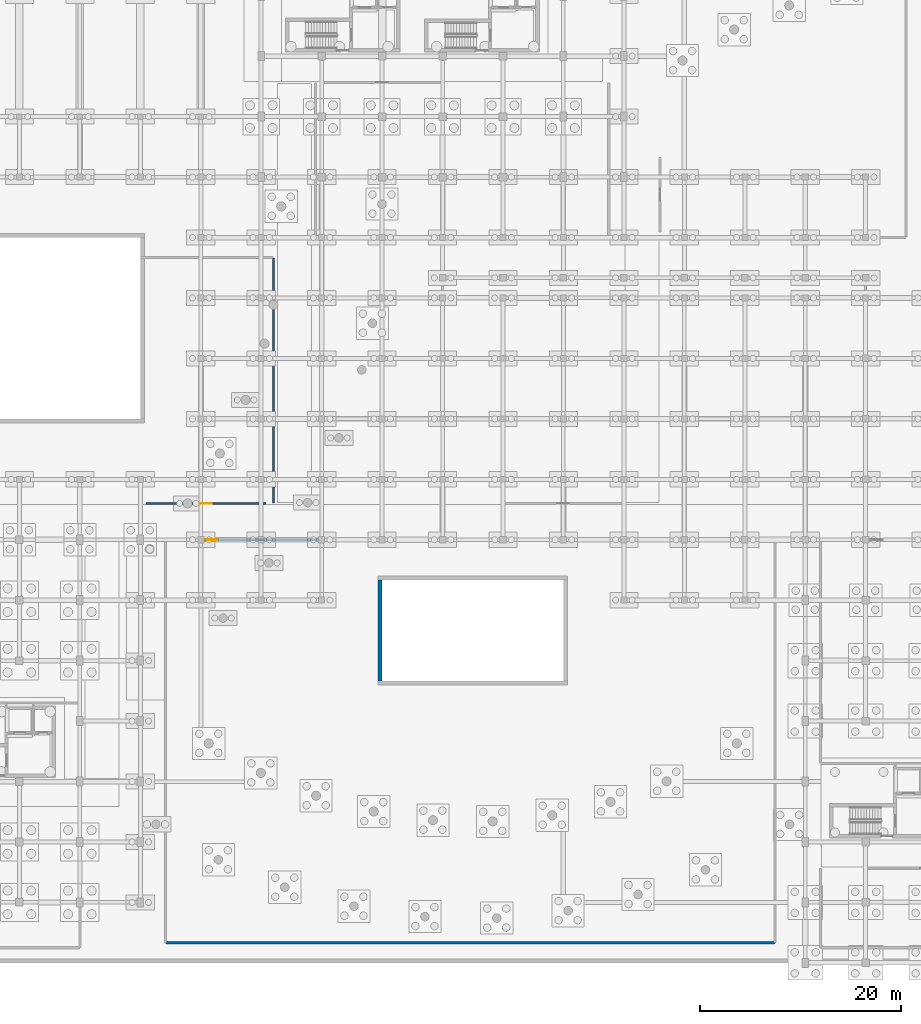
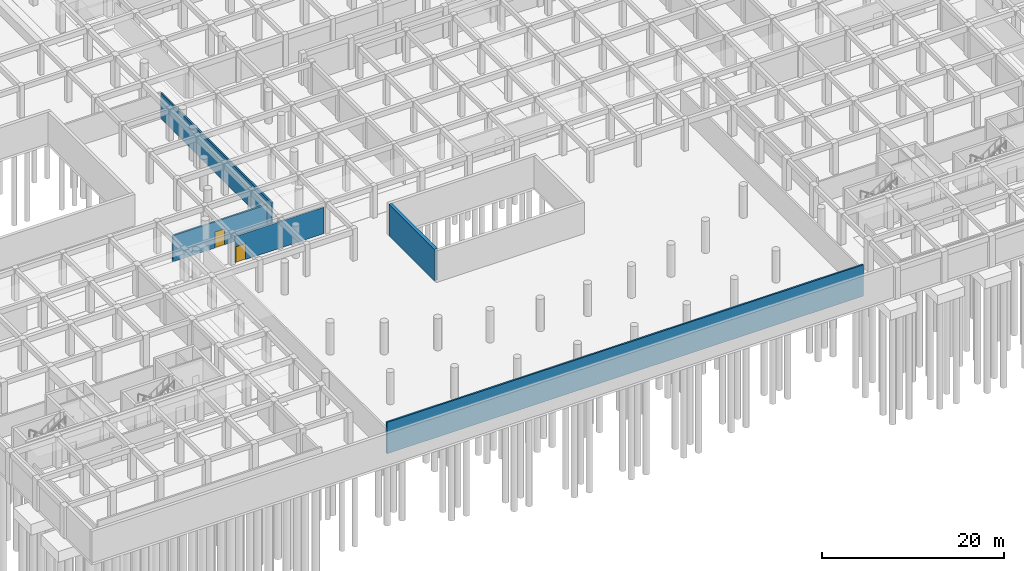
# One storey, part 25 of 41: 5 walls, 2 doors, 2 openings.
"""IFC4 building model written with IfcOpenShell, lengths in metres."""

from ifc_helpers import new_model, si_unit, direction, frame, frame_2d, origin, place, context, subcontext, project, spatial, rectangle, extrude, material, layer, layer_set, type_object, element, fill, save


model = new_model("IFC4")

# Units and contexts
model_context = context("Model", 3, precision=1e-05, world=origin(), true_north=direction((0.0, 1.0)))
body_context = subcontext(model_context, "Body", "Model", "MODEL_VIEW")
ifc_project = project(units=[si_unit("LENGTHUNIT", "METRE"), si_unit("AREAUNIT", "SQUARE_METRE"), si_unit("VOLUMEUNIT", "CUBIC_METRE"), si_unit("PLANEANGLEUNIT", "RADIAN"), si_unit("MASSUNIT", "GRAM", prefix="KILO"), si_unit("POWERUNIT", "WATT"), si_unit("THERMODYNAMICTEMPERATUREUNIT", "KELVIN")], contexts=[model_context])

# Site, building, storey
site_placement = place(None, origin())
site = spatial("IfcSite", under=ifc_project, at=site_placement, CompositionType="ELEMENT")
building_placement = place(site_placement, origin())
building = spatial("IfcBuilding", under=site, at=building_placement, Name="Ruvembo Vaulted Housing Court", CompositionType="ELEMENT")
storey_placement = place(building_placement, frame((0.0, 0.0, -4.5)))
storey = spatial("IfcBuildingStorey", under=building, at=storey_placement, Name="B1", CompositionType="ELEMENT", Elevation=-4.5)

# Wall, opening, door
ifc_material_1 = material(Name="Concrete Blockwork 210", Category="masonry")
ifc_layer_1 = layer(ifc_material_1, 0.2099609375, Name="Concrete Blockwork 210")
ifc_layer_set_1 = layer_set([ifc_layer_1], Name="Concrete Blockwork 210")
wall_type_1 = type_object("IfcWallType", Name="WL-CORR-210", PredefinedType="SOLIDWALL", material=ifc_layer_set_1)
wall_1_placement = place(storey_placement, frame((36.5400390625, 45.60009765625, 0.0), z_axis=(0.0, 0.0, 1.0), x_axis=(1.0, 0.0, 0.0)))
wall_1 = element("IfcWall", 1, at=wall_1_placement, inside=storey, type_object=wall_type_1, Name="B1 Resident Storage Lockers West WL-INT-B1-00037", PredefinedType="SOLIDWALL", context=body_context, shape_type="SweptSolid", body=[
    extrude(rectangle(XDim=11.919921875, YDim=0.2099609375, at=frame_2d((5.9599609375, 0.0))), origin(), (0.0, 0.0, 1.0), 3.4970703125),
])
opening_1_placement = place(wall_1_placement, frame((5.360107421875, 0.0, 0.0)))
opening_1 = element("IfcOpeningElement", 2, at=opening_1_placement, cuts=wall_1, Name="Opening PD1", PredefinedType="OPENING", context=body_context, shape_type="SweptSolid", body=[
    extrude(rectangle(XDim=1.199951171875, YDim=2.14990234375, at=frame_2d((0.60009765625, 1.074951171875))), frame((0.0, 0.114990234375, 0.0), z_axis=(0.0, -1.0, 0.0), x_axis=(1.0, 0.0, 0.0)), (0.0, 0.0, 1.0), 0.22998046875),
])
ifc_material_2 = material(Name="Galvanised Painted Steel", Category="steel")
door_type = type_object("IfcDoorType", Name="DR-PLANT-1200x2150", OperationType="NOTDEFINED", PredefinedType="DOOR", material=ifc_material_2)
door_1_placement = place(opening_1_placement, origin())
door_1 = element("IfcDoor", 3, at=door_1_placement, inside=storey, type_object=door_type, Name="B1 Resident Storage Lockers West Door DR-INT-B1-00010", OperationType="SINGLE_SWING_RIGHT", OverallHeight=2.14990234375, OverallWidth=1.199951171875, PredefinedType="DOOR", context=body_context, shape_type="SweptSolid", body=[
    extrude(rectangle(XDim=1.199951171875, YDim=2.14990234375, at=frame_2d((0.60009765625, 1.074951171875))), frame((0.0, 0.02490234375, 0.0), z_axis=(0.0, -1.0, 0.0), x_axis=(1.0, 0.0, 0.0)), (0.0, 0.0, 1.0), 0.050048828125),
])
fill(opening_1, door_1)

# Wall
wall_2_placement = place(storey_placement, frame((49.199951171875, 45.639892578125, 0.0), z_axis=(0.0, 0.0, 1.0), x_axis=(0.0, 1.0, 0.0)))
element("IfcWall", 4, at=wall_2_placement, inside=storey, type_object=wall_type_1, Name="B1 Resident Storage Lockers West WL-INT-B1-00038", PredefinedType="SOLIDWALL", context=body_context, shape_type="SweptSolid", body=[
    extrude(rectangle(XDim=24.320068359375, YDim=0.2099609375, at=frame_2d((12.16015625, 0.0))), origin(), (0.0, 0.0, 1.0), 3.447021484375),
])

# Wall, opening, door
wall_3_placement = place(storey_placement, frame((42.360107421875, 42.0, 0.0), z_axis=(0.0, 0.0, 1.0), x_axis=(1.0, 0.0, 0.0)))
wall_3 = element("IfcWall", 5, at=wall_3_placement, inside=storey, type_object=wall_type_1, Name="B1 Central Rainwater & Irrigation Retention Vault WL-INT-B1-00048", PredefinedType="SOLIDWALL", context=body_context, shape_type="SweptSolid", body=[
    extrude(rectangle(XDim=11.27978515625, YDim=0.2099609375, at=frame_2d((5.639892578125, 0.0))), origin(), (0.0, 0.0, 1.0), 3.547119140625),
])
opening_2_placement = place(wall_3_placement, frame((0.1298828125, 0.0, 0.0)))
opening_2 = element("IfcOpeningElement", 6, at=opening_2_placement, cuts=wall_3, Name="Opening PD1", PredefinedType="OPENING", context=body_context, shape_type="SweptSolid", body=[
    extrude(rectangle(XDim=1.199951171875, YDim=2.14990234375, at=frame_2d((0.60009765625, 1.074951171875))), frame((0.0, 0.114990234375, 0.0), z_axis=(0.0, -1.0, 0.0), x_axis=(1.0, 0.0, 0.0)), (0.0, 0.0, 1.0), 0.22998046875),
])
door_2_placement = place(opening_2_placement, origin())
door_2 = element("IfcDoor", 7, at=door_2_placement, inside=storey, type_object=door_type, Name="B1 Central Rainwater & Irrigation Retention Vault Door DR-INT-B1-00013", OperationType="SINGLE_SWING_LEFT", OverallHeight=2.14990234375, OverallWidth=1.199951171875, PredefinedType="DOOR", context=body_context, shape_type="SweptSolid", body=[
    extrude(rectangle(XDim=1.199951171875, YDim=2.14990234375, at=frame_2d((0.60009765625, 1.074951171875))), frame((0.0, 0.02490234375, 0.0), z_axis=(0.0, -1.0, 0.0), x_axis=(1.0, 0.0, 0.0)), (0.0, 0.0, 1.0), 0.050048828125),
])
fill(opening_2, door_2)

# Walls
wall_4_placement = place(storey_placement, frame((38.5400390625, 2.0, 0.0), z_axis=(0.0, 0.0, 1.0), x_axis=(1.0, 0.0, 0.0)))
element("IfcWall", 8, at=wall_4_placement, inside=storey, type_object=wall_type_1, Name="B1 Central Rainwater & Irrigation Retention Vault WL-INT-B1-00049", PredefinedType="SOLIDWALL", context=body_context, shape_type="SweptSolid", body=[
    extrude(rectangle(XDim=60.419921875, YDim=0.2099609375, at=frame_2d((30.2099609375, 0.0))), origin(), (0.0, 0.0, 1.0), 4.215087890625),
])
ifc_material_3 = material(Name="Concrete C35/45", Category="concrete")
ifc_layer_2 = layer(ifc_material_3, 0.39990234375, Name="Concrete C35/45")
ifc_layer_set_2 = layer_set([ifc_layer_2], Name="Concrete C35/45")
wall_type_2 = type_object("IfcWallType", Name="WL-RET-400", PredefinedType="USERDEFINED", material=ifc_layer_set_2)
wall_5_placement = place(storey_placement, frame((59.800048828125, 28.0, 0.0), z_axis=(0.0, 0.0, 1.0), x_axis=(0.0, 1.0, 0.0)))
element("IfcWall", 9, at=wall_5_placement, inside=storey, type_object=wall_type_2, Name="South Jacaranda Forecourt Tree-Pit Retaining Wall W", ObjectType="RETAININGWALL", PredefinedType="USERDEFINED", context=body_context, shape_type="SweptSolid", body=[
    extrude(rectangle(XDim=10.0, YDim=0.39990234375, at=frame_2d((5.0, 0.0))), origin(), (0.0, 0.0, 1.0), 4.215087890625),
])

save(model, "model.ifc")
